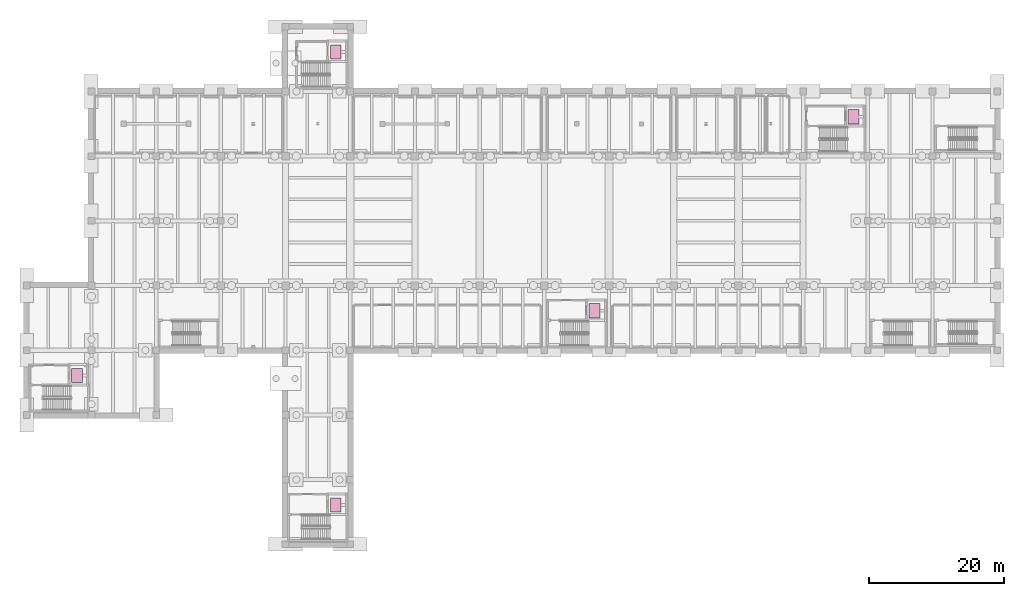
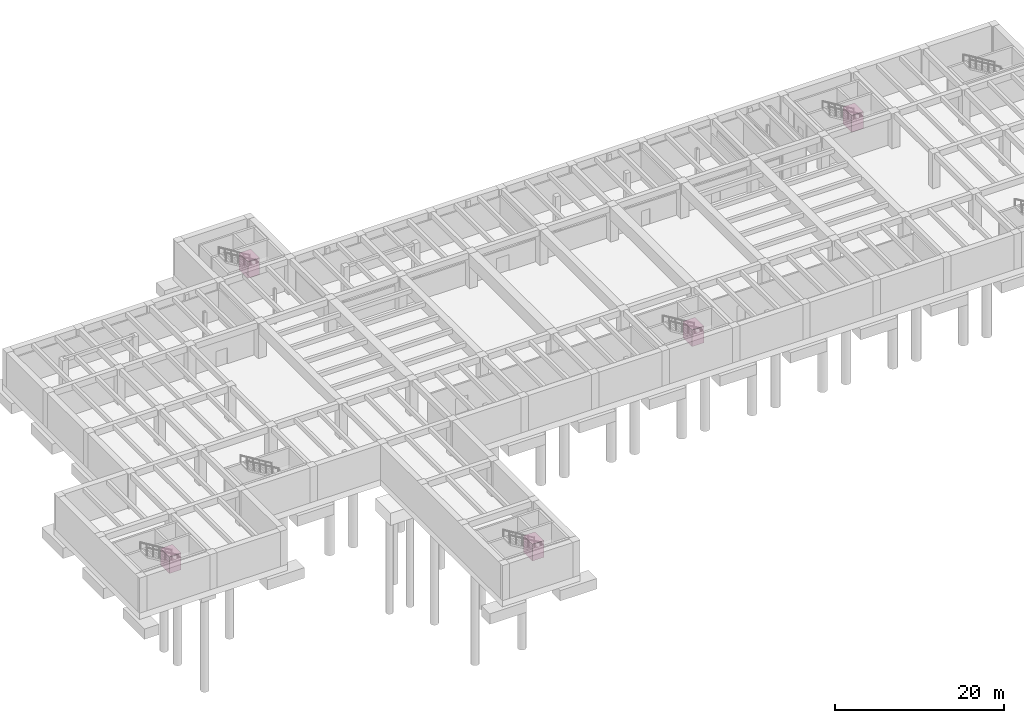
# One storey, part 24 of 24: 5 transport elements.
"""IFC4 building model written with IfcOpenShell, lengths in metres."""

from ifc_helpers import new_model, si_unit, direction, frame, origin, origin_2d, place, context, subcontext, project, spatial, rectangle, extrude, material, type_object, element, save


model = new_model("IFC4")

# Units and contexts
model_context = context("Model", 3, precision=1e-05, world=origin(), true_north=direction((0.0, 1.0)))
body_context = subcontext(model_context, "Body", "Model", "MODEL_VIEW")
ifc_project = project(units=[si_unit("LENGTHUNIT", "METRE"), si_unit("AREAUNIT", "SQUARE_METRE"), si_unit("VOLUMEUNIT", "CUBIC_METRE"), si_unit("PLANEANGLEUNIT", "RADIAN"), si_unit("MASSUNIT", "GRAM", prefix="KILO")], contexts=[model_context])

# Site, building, storey
site_placement = place(None, origin())
site = spatial("IfcSite", under=ifc_project, at=site_placement, CompositionType="ELEMENT")
building_placement = place(site_placement, origin())
building = spatial("IfcBuilding", under=site, at=building_placement, Name="Coralgate Yard Interchange", CompositionType="ELEMENT")
storey_placement = place(building_placement, frame((0.0, 0.0, -10.800048828125)))
storey = spatial("IfcBuildingStorey", under=building, at=storey_placement, Name="B2", CompositionType="ELEMENT", Elevation=-10.800048828125)

# Transport elements
ifc_material_1 = material(Name="Stainless steel traction firefighting lift car", Category="steel")
transport_element_type_1 = type_object("IfcTransportElementType", Name="LFT-FFL", PredefinedType="ELEVATOR", material=ifc_material_1)
for number, where, z_axis, x_axis, name in (
    (1, (17.050048828125, 34.64990234375, 0.0), (0.0, 0.0, 1.0), (1.0, 0.0, 0.0), "Firefighting lift FFL-01"),
    (2, (55.449951171875, 15.449951171875, 0.0), (0.0, 0.0, 1.0), (1.0, 0.0, 0.0), "Firefighting lift FFL-02"),
):
    element("IfcTransportElement", number, at=place(storey_placement, frame(where, z_axis=z_axis, x_axis=x_axis)), inside=storey, type_object=transport_element_type_1, Name=name, PredefinedType="ELEVATOR", context=body_context, shape_type="SweptSolid", body=[
        extrude(rectangle(XDim=1.60009765625, YDim=2.10009765625, at=origin_2d()), origin(), (0.0, 0.0, 1.0), 2.39990234375),
    ])
ifc_material_2 = material(Name="Stainless steel and laminated glass passenger lift car", Category="steel")
transport_element_type_2 = type_object("IfcTransportElementType", Name="LFT-PAX", PredefinedType="ELEVATOR", material=ifc_material_2)
for number, where, z_axis, x_axis, name in (
    (3, (55.449951171875, 82.64990234375, 0.0), (0.0, 0.0, 1.0), (1.0, 0.0, 0.0), "Passenger lift LF-03"),
    (4, (93.85009765625, 44.25, 0.0), (0.0, 0.0, 1.0), (1.0, 0.0, 0.0), "Passenger lift LF-04"),
    (5, (132.25, 73.050048828125, 0.0), (0.0, 0.0, 1.0), (1.0, 0.0, 0.0), "Passenger lift LF-05"),
):
    element("IfcTransportElement", number, at=place(storey_placement, frame(where, z_axis=z_axis, x_axis=x_axis)), inside=storey, type_object=transport_element_type_2, Name=name, PredefinedType="ELEVATOR", context=body_context, shape_type="SweptSolid", body=[
        extrude(rectangle(XDim=1.60009765625, YDim=2.10009765625, at=origin_2d()), origin(), (0.0, 0.0, 1.0), 2.39990234375),
    ])

save(model, "model.ifc")
